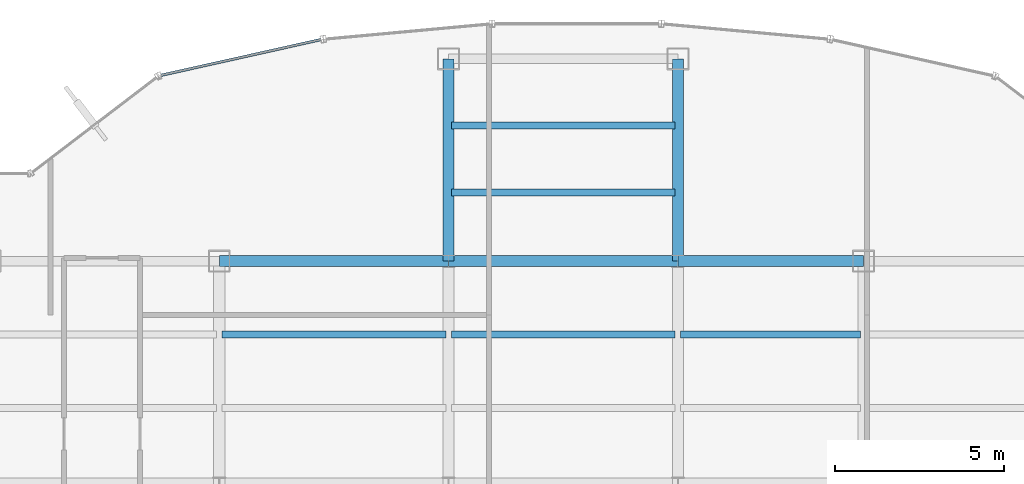
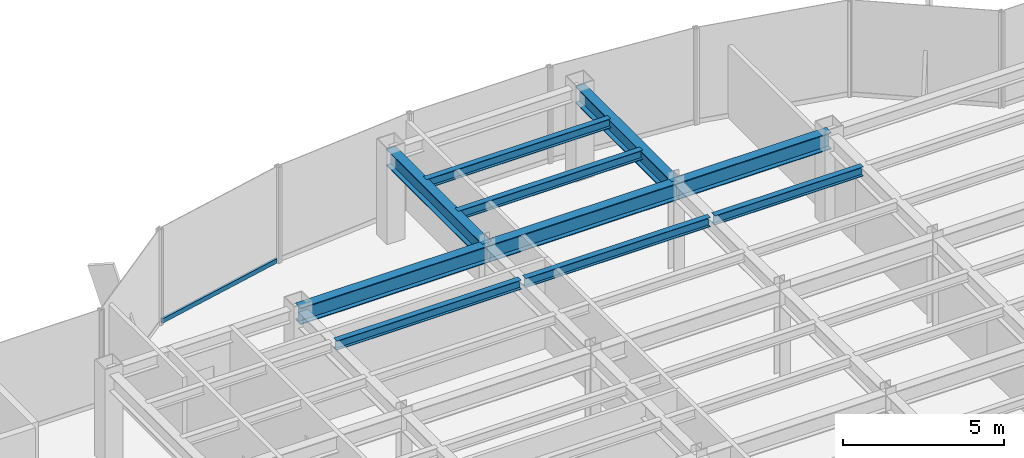
# One storey, part 15 of 25: 10 beams, 1 member, 1 element without a shape of its own.
"""IFC4 building model written with IfcOpenShell, lengths in metres."""

from ifc_helpers import new_model, si_unit, derived_unit, direction, frame, origin, origin_2d, place, context, subcontext, project, spatial, hollow_rectangle, i_section, extrude, source, transform, mapped, material, material_profile, profile_set, type_object, element, aggregate, save


model = new_model("IFC4")

# Units and contexts
model_context = context("Model", 3, precision=1e-05, world=origin(), true_north=direction((0.0, 1.0)))
body_context = subcontext(model_context, "Body", "Model", "MODEL_VIEW")
ifc_project = project(units=[si_unit("LENGTHUNIT", "METRE"), si_unit("AREAUNIT", "SQUARE_METRE"), si_unit("VOLUMEUNIT", "CUBIC_METRE"), si_unit("PLANEANGLEUNIT", "RADIAN"), si_unit("MASSUNIT", "GRAM", prefix="KILO"), derived_unit("THERMALTRANSMITTANCEUNIT", [(si_unit("POWERUNIT", "WATT"), 1), (si_unit("LENGTHUNIT", "METRE"), -2), (si_unit("THERMODYNAMICTEMPERATUREUNIT", "KELVIN"), -1)])], contexts=[model_context])

# Site, building, storey
site_placement = place(None, origin())
site = spatial("IfcSite", under=ifc_project, at=site_placement, CompositionType="ELEMENT")
building_placement = place(site_placement, origin())
building = spatial("IfcBuilding", under=site, at=building_placement, Name="Skarnbrae Concourse Arena and Tower", CompositionType="ELEMENT")
storey_placement = place(building_placement, frame((0.0, 0.0, 155.199951171875)))
storey = spatial("IfcBuildingStorey", under=building, at=storey_placement, Name="L39", CompositionType="ELEMENT", Elevation=155.199951171875)

# Beams
ifc_material_1 = material(Name="Steel CSA G40.21 350W", Category="steel")
ifc_material_profile_1 = material_profile(ifc_material_1, i_section(OverallWidth=0.3291015625, OverallDepth=0.635009765625, WebThickness=0.017822265625, FlangeThickness=0.031005859375, at=origin_2d()), Name="W610X241")
ifc_profile_set_1 = profile_set([ifc_material_profile_1], Name="Steel CSA G40.21 350W")
beam_type_1 = type_object("IfcBeamType", Name="BM-GIRD-W610X241", PredefinedType="BEAM", material=ifc_profile_set_1)
shared_shape_1 = source(origin(), body_context, "Body", "SweptSolid", [
    extrude(i_section(OverallWidth=0.3291015625, OverallDepth=0.635009765625, WebThickness=0.017822265625, FlangeThickness=0.031005859375, at=origin_2d()), origin(), (0.0, 0.0, 1.0), 6.800048828125),
])
for number, where, z_axis, x_axis, name in (
    (1, (14.39990234375, 34.39990234375, 3.08251953125), (1.0, 0.0, 0.0), (0.0, 1.0, 0.0), "L39 Primary E-W girder Y34.4-2"),
    (2, (21.199951171875, 34.39990234375, 3.08251953125), (1.0, 0.0, 0.0), (0.0, 1.0, 0.0), "L39 Primary E-W girder Y34.4-3"),
):
    element("IfcBeam", number, at=place(storey_placement, frame(where, z_axis=z_axis, x_axis=x_axis)), inside=storey, type_object=beam_type_1, Name=name, PredefinedType="BEAM", context=body_context, shape_type="MappedRepresentation", body=[
        mapped(shared_shape_1, transform((0.0, 0.0, 0.0))),
    ])
shared_shape_2 = source(origin(), body_context, "Body", "SweptSolid", [
    extrude(i_section(OverallWidth=0.3291015625, OverallDepth=0.635009765625, WebThickness=0.017822265625, FlangeThickness=0.031005859375, at=origin_2d()), origin(), (0.0, 0.0, 1.0), 5.5),
])
beam_1_placement = place(storey_placement, frame((28.0, 34.39990234375, 3.08251953125), z_axis=(1.0, 0.0, 0.0), x_axis=(0.0, 1.0, 0.0)))
element("IfcBeam", 3, at=beam_1_placement, inside=storey, type_object=beam_type_1, Name="L39 Primary E-W girder Y34.4-4", PredefinedType="BEAM", context=body_context, shape_type="MappedRepresentation", body=[
    mapped(shared_shape_2, transform((0.0, 0.0, 0.0))),
])
shared_shape_3 = source(origin(), body_context, "Body", "SweptSolid", [
    extrude(i_section(OverallWidth=0.3291015625, OverallDepth=0.635009765625, WebThickness=0.017822265625, FlangeThickness=0.031005859375, at=origin_2d()), origin(), (0.0, 0.0, 1.0), 6.0),
])
for number, where, z_axis, x_axis, name in (
    (4, (21.199951171875, 34.39990234375, 3.08251953125), (0.0, 1.0, 0.0), (-1.0, 0.0, 0.0), "L39 Primary N-S girder X21.2-4"),
    (5, (28.0, 34.39990234375, 3.08251953125), (0.0, 1.0, 0.0), (-1.0, 0.0, 0.0), "L39 Primary N-S girder X28.0-4"),
):
    element("IfcBeam", number, at=place(storey_placement, frame(where, z_axis=z_axis, x_axis=x_axis)), inside=storey, type_object=beam_type_1, Name=name, PredefinedType="BEAM", context=body_context, shape_type="MappedRepresentation", body=[
        mapped(shared_shape_3, transform((0.0, 0.0, 0.0))),
    ])
ifc_material_profile_2 = material_profile(ifc_material_1, i_section(OverallWidth=0.205078125, OverallDepth=0.35400390625, WebThickness=0.009521484375, FlangeThickness=0.016845703125, at=origin_2d()), Name="W360X79")
ifc_profile_set_2 = profile_set([ifc_material_profile_2], Name="Steel CSA G40.21 350W")
beam_type_2 = type_object("IfcBeamType", Name="BM-JOIST-W360X79", PredefinedType="JOIST", material=ifc_profile_set_2)
shared_shape_4 = source(origin(), body_context, "Body", "SweptSolid", [
    extrude(i_section(OverallWidth=0.205078125, OverallDepth=0.35400390625, WebThickness=0.009521484375, FlangeThickness=0.016845703125, at=origin_2d()), origin(), (0.0, 0.0, 1.0), 6.64013671875),
])
beam_2_placement = place(storey_placement, frame((14.47998046875, 32.221923828125, 3.22314453125), z_axis=(1.0, 0.0, 0.0), x_axis=(0.0, 1.0, 0.0)))
element("IfcBeam", 6, at=beam_2_placement, inside=storey, type_object=beam_type_2, Name="L39 Secondary floor joist 3.2.2", PredefinedType="JOIST", context=body_context, shape_type="MappedRepresentation", body=[
    mapped(shared_shape_4, transform((0.0, 0.0, 0.0))),
])
shared_shape_5 = source(origin(), body_context, "Body", "SweptSolid", [
    extrude(i_section(OverallWidth=0.205078125, OverallDepth=0.35400390625, WebThickness=0.009521484375, FlangeThickness=0.016845703125, at=origin_2d()), origin(), (0.0, 0.0, 1.0), 6.639892578125),
])
for number, where, z_axis, x_axis, name in (
    (7, (21.280029296875, 32.221923828125, 3.22314453125), (1.0, 0.0, 0.0), (0.0, 1.0, 0.0), "L39 Secondary floor joist 3.2.3"),
    (8, (21.280029296875, 36.43994140625, 3.22314453125), (1.0, 0.0, 0.0), (0.0, 1.0, 0.0), "L39 Secondary floor joist 4.1.1"),
    (9, (21.280029296875, 38.419921875, 3.22314453125), (1.0, 0.0, 0.0), (0.0, 1.0, 0.0), "L39 Secondary floor joist 4.2.1"),
):
    element("IfcBeam", number, at=place(storey_placement, frame(where, z_axis=z_axis, x_axis=x_axis)), inside=storey, type_object=beam_type_2, Name=name, PredefinedType="JOIST", context=body_context, shape_type="MappedRepresentation", body=[
        mapped(shared_shape_5, transform((0.0, 0.0, 0.0))),
    ])
shared_shape_6 = source(origin(), body_context, "Body", "SweptSolid", [
    extrude(i_section(OverallWidth=0.205078125, OverallDepth=0.35400390625, WebThickness=0.009521484375, FlangeThickness=0.016845703125, at=origin_2d()), origin(), (0.0, 0.0, 1.0), 5.33984375),
])
beam_3_placement = place(storey_placement, frame((28.080078125, 32.221923828125, 3.22314453125), z_axis=(1.0, 0.0, 0.0), x_axis=(0.0, 1.0, 0.0)))
element("IfcBeam", 10, at=beam_3_placement, inside=storey, type_object=beam_type_2, Name="L39 Secondary floor joist 3.2.4", PredefinedType="JOIST", context=body_context, shape_type="MappedRepresentation", body=[
    mapped(shared_shape_6, transform((0.0, 0.0, 0.0))),
])

# Curtain wall, member
ifc_material_2 = material(Name="Bronze anodised aluminium 6063-T6", Category="aluminium")
curtain_wall_type = type_object("IfcCurtainWallType", Name="CW-SYS-03-PORTAL", PredefinedType="USERDEFINED", material=ifc_material_2)
curtain_wall_placement = place(storey_placement, origin())
curtain_wall = element("IfcCurtainWall", 11, at=curtain_wall_placement, inside=storey, type_object=curtain_wall_type, Name="L39 Unitised curtain wall CW-L39-E13", ObjectType="UNITISED CURTAIN WALL", PredefinedType="USERDEFINED")
ifc_material_profile_3 = material_profile(ifc_material_2, hollow_rectangle(XDim=0.080078125, YDim=0.169921875, WallThickness=0.00439453125, at=origin_2d()), Name="ALU-TRAN-80X170")
ifc_profile_set_3 = profile_set([ifc_material_profile_3], Name="Bronze anodised aluminium 6063-T6")
member_type = type_object("IfcMemberType", Name="CWT-CW-03", PredefinedType="USERDEFINED", material=ifc_profile_set_3)
shared_shape_7 = source(origin(), body_context, "Body", "SweptSolid", [
    extrude(hollow_rectangle(XDim=0.080078125, YDim=0.169921875, WallThickness=0.00439453125, at=origin_2d()), origin(), (0.0, 0.0, 1.0), 4.85791015625),
])
member_placement = place(storey_placement, frame((17.40966796875, 40.969482421875, 0.0849609375), z_axis=(-0.975934527506, -0.21806374761, 0.0), x_axis=(0.21806374761, -0.975934527506, 0.0)))
member = element("IfcMember", 12, at=member_placement, type_object=member_type, Name="CW-L39-E13 Transom 1", ObjectType="TRANSOM", PredefinedType="USERDEFINED", context=body_context, shape_type="MappedRepresentation", body=[
    mapped(shared_shape_7, transform((0.0, 0.0, 0.0))),
])
aggregate(curtain_wall, [member])

save(model, "model.ifc")
